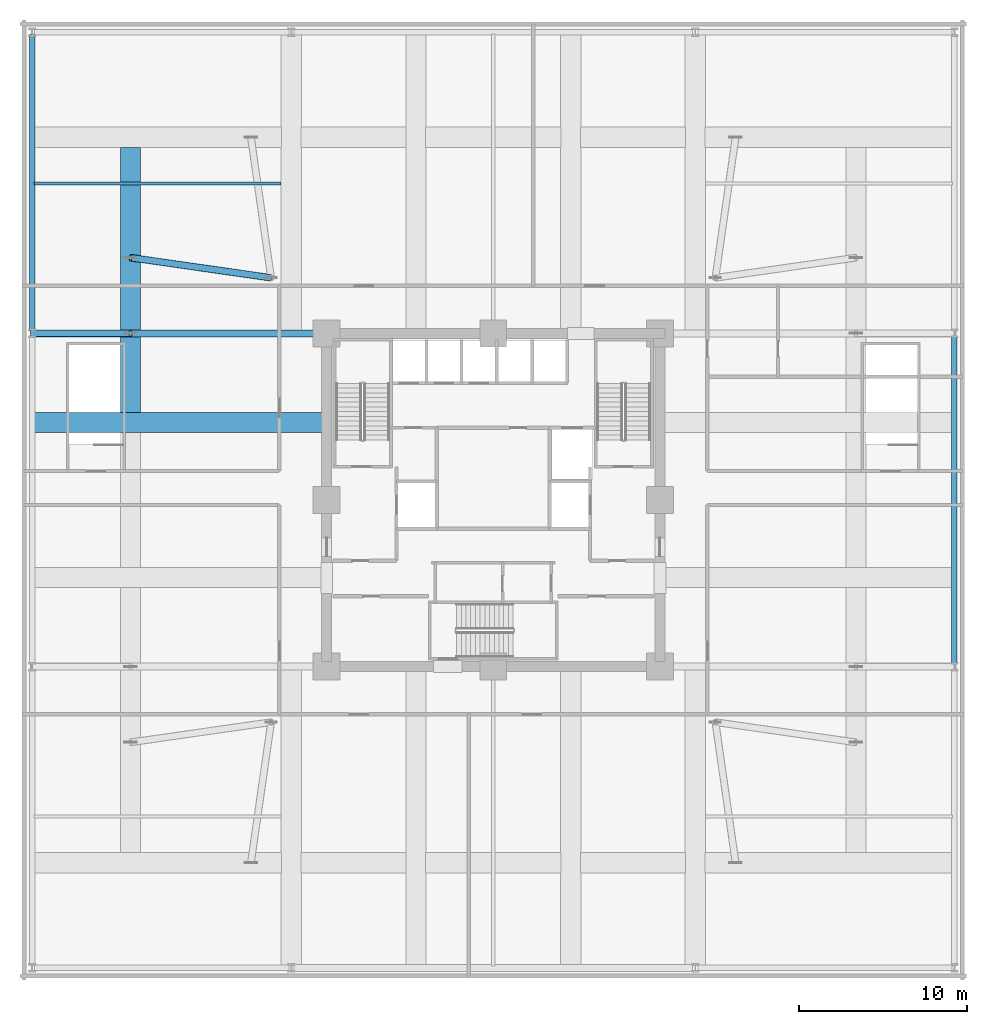
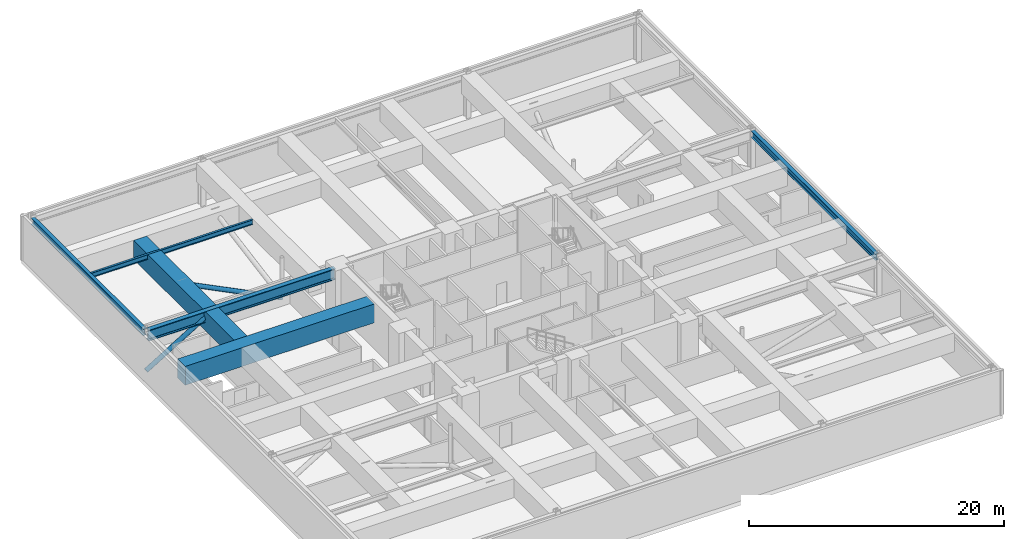
# One storey, part 5 of 16: 6 beams, 2 members.
"""IFC4 building model written with IfcOpenShell, lengths in metres."""

import ifcopenshell
import ifcopenshell.guid

model = None  # the IFC model being written
_history = None  # IfcOwnerHistory: only IFC2X3 demands one
_inside = {}  # id of a spatial element -> (the spatial element, [elements in it])
_under = {}  # id of a project, library or spatial element -> (it, [spatial elements below it])
_declared = {}  # id of a project -> (the project, [libraries it declares])
_typed = {}  # id of a type object -> (the type object, [elements of that type])
_made_of = {}  # id of a material, layer set ... -> (it, [elements and type objects made of it])


def new_model(schema):
    """Start an empty IFC model of exactly this schema.

    Asked for "IFC4X3", IfcOpenShell would pick the latest addendum, in which some entities
    have other attributes; the version numbers below select the first issue.
    IFC2X3 requires an IfcOwnerHistory on every rooted entity: one is made here for all.
    """
    global model, _history
    if schema == "IFC4X3":
        model = ifcopenshell.file(schema_version=(4, 3, 0, 0))
    else:
        model = ifcopenshell.file(schema=schema)
    _inside.clear()
    _under.clear()
    _declared.clear()
    _typed.clear()
    _made_of.clear()
    _history = None
    if model.schema == "IFC2X3":
        org = make("IfcOrganization", Name="unknown")
        user = make(
            "IfcPersonAndOrganization",
            ThePerson=make("IfcPerson", FamilyName="unknown"),
            TheOrganization=org,
        )
        app = make(
            "IfcApplication",
            ApplicationDeveloper=org,
            Version="unknown",
            ApplicationFullName="unknown",
            ApplicationIdentifier="unknown",
        )
        _history = make(
            "IfcOwnerHistory",
            OwningUser=user,
            OwningApplication=app,
            ChangeAction="ADDED",
            CreationDate=0,
        )
    return model


def make(cls, **values):
    """One entity of the class cls with the attributes given. An attribute that is None is left unset."""
    return model.create_entity(
        cls, **{name: value for name, value in values.items() if value is not None}
    )


def rooted(cls, **values):
    """An entity with a GlobalId (a new one), such as an element, a storey or a relation."""
    return make(cls, GlobalId=ifcopenshell.guid.new(), OwnerHistory=_history, **values)


def si_unit(unit_type, name, prefix=None):
    """IfcSIUnit, for example si_unit("LENGTHUNIT", "METRE", prefix="MILLI")."""
    return make("IfcSIUnit", UnitType=unit_type, Prefix=prefix, Name=name)


def assignment(units):
    """IfcUnitAssignment: the units of a project."""
    return None if units is None else make("IfcUnitAssignment", Units=units)


def point(xyz):
    """IfcCartesianPoint."""
    return None if xyz is None else make("IfcCartesianPoint", Coordinates=xyz)


def direction(xyz):
    """IfcDirection."""
    return None if xyz is None else make("IfcDirection", DirectionRatios=xyz)


def frame(location, z_axis=None, x_axis=None):
    """IfcAxis2Placement3D, a coordinate frame: its origin and axes. An axis left out is left unset."""
    return make(
        "IfcAxis2Placement3D",
        Location=point(location),
        Axis=direction(z_axis),
        RefDirection=direction(x_axis),
    )


def frame_2d(location, x_axis=None):
    """IfcAxis2Placement2D, a coordinate frame in the plane: its origin and x axis."""
    return make(
        "IfcAxis2Placement2D", Location=point(location), RefDirection=direction(x_axis)
    )


def origin():
    """The frame at (0, 0, 0) with its axes left unset."""
    return frame((0.0, 0.0, 0.0))


def origin_2d():
    """The frame at (0, 0) in the plane with its x axis left unset."""
    return frame_2d((0.0, 0.0))


def place(relative_to, where):
    """IfcLocalPlacement: puts the frame where relative to a parent placement (None: the world)."""
    return make(
        "IfcLocalPlacement", PlacementRelTo=relative_to, RelativePlacement=where
    )


def context(
    kind, dimensions, precision=None, world=None, true_north=None, identifier=None
):
    """IfcGeometricRepresentationContext, for example the 3D "Model" context."""
    return make(
        "IfcGeometricRepresentationContext",
        ContextIdentifier=identifier,
        ContextType=kind,
        CoordinateSpaceDimension=dimensions,
        Precision=precision,
        WorldCoordinateSystem=world,
        TrueNorth=true_north,
    )


def subcontext(parent, identifier, kind, view, scale=None):
    """IfcGeometricRepresentationSubContext, for example "Body" below "Model"."""
    return make(
        "IfcGeometricRepresentationSubContext",
        ContextIdentifier=identifier,
        ContextType=kind,
        ParentContext=parent,
        TargetScale=scale,
        TargetView=view,
    )


def project(units=None, contexts=None):
    """IfcProject with its units and contexts."""
    return rooted(
        "IfcProject",
        Name="project",
        RepresentationContexts=contexts,
        UnitsInContext=assignment(units),
    )


def spatial(cls, under=None, at=None, **own):
    """A site, building, storey or space (cls), placed at a placement, below another one or the project."""
    s = rooted(cls, ObjectPlacement=at, **own)
    if under is not None:
        _under.setdefault(under.id(), (under, []))[1].append(s)
    return s


def profile(cls, at=None, kind="AREA", **sizes):
    """A parametric profile (cls). Its sizes go by their IFC names, for example OverallWidth=200.0."""
    return make(cls, ProfileType=kind, Position=at, **sizes)


def rectangle(**sizes):
    """IfcRectangleProfileDef."""
    return profile("IfcRectangleProfileDef", **sizes)


def hollow_circle(**sizes):
    """IfcCircleHollowProfileDef."""
    return profile("IfcCircleHollowProfileDef", **sizes)


def i_section(**sizes):
    """IfcIShapeProfileDef."""
    return profile("IfcIShapeProfileDef", **sizes)


def extrude(swept, where, along, depth):
    """IfcExtrudedAreaSolid: the profile swept, set in the frame where, extruded along a direction by depth."""
    return make(
        "IfcExtrudedAreaSolid",
        SweptArea=swept,
        Position=where,
        ExtrudedDirection=direction(along),
        Depth=depth,
    )


def shape(context_of_items, identifier, shape_type, items):
    """IfcShapeRepresentation: the items that make up one representation, for example the "Body"."""
    return make(
        "IfcShapeRepresentation",
        ContextOfItems=context_of_items,
        RepresentationIdentifier=identifier,
        RepresentationType=shape_type,
        Items=items,
    )


def material(Name=None, Category=None):
    """IfcMaterial."""
    return make("IfcMaterial", Name=Name, Category=Category)


def material_profile(
    of_material, cross_section, Name=None, Category=None, Priority=None
):
    """IfcMaterialProfile: a cross section and its material."""
    return make(
        "IfcMaterialProfile",
        Name=Name,
        Material=of_material,
        Profile=cross_section,
        Priority=Priority,
        Category=Category,
    )


def profile_set(profiles, Name=None, composite=None):
    """IfcMaterialProfileSet."""
    return make(
        "IfcMaterialProfileSet",
        Name=Name,
        MaterialProfiles=profiles,
        CompositeProfile=composite,
    )


def made_of(thing, what):
    """Note that an element or type object is made of a material, layer set ...; save() writes the relation."""
    if what is not None:
        _made_of.setdefault(what.id(), (what, []))[1].append(thing)
    return thing


def type_object(cls, material=None, **own):
    """A type object (cls), such as IfcWallType, which elements share."""
    return made_of(rooted(cls, **own), material)


def element(
    cls,
    number,
    at=None,
    inside=None,
    cuts=None,
    type_object=None,
    material=None,
    context=None,
    identifier="Body",
    shape_type=None,
    held_by="IfcProductDefinitionShape",
    body=None,
    shapes=None,
    **own,
):
    """One element of the class cls, such as IfcWall. Its Tag is "e" and its number.

    at: its placement. inside: the storey or other place that contains it. cuts: it is an
    opening in that element (IfcRelVoidsElement). A single representation is given by context,
    identifier, shape_type and body (its items); several are given by shapes. held_by: the class
    of the entity that holds the representations. save() writes the other relations.
    """
    e = rooted(cls, Tag="e%d" % number, ObjectPlacement=at, **own)
    if body is not None:
        shapes = [shape(context, identifier, shape_type, body)]
    if shapes is not None:
        e.Representation = make(held_by, Representations=shapes)
    if inside is not None:
        _inside.setdefault(inside.id(), (inside, []))[1].append(e)
    if cuts is not None:
        rooted(
            "IfcRelVoidsElement", RelatingBuildingElement=cuts, RelatedOpeningElement=e
        )
    if type_object is not None:
        _typed.setdefault(type_object.id(), (type_object, []))[1].append(e)
    return made_of(e, material)


def aggregate(whole, parts):
    """IfcRelAggregates: a whole, such as a stair, and the parts it consists of."""
    return rooted("IfcRelAggregates", RelatingObject=whole, RelatedObjects=parts)


def save(model, path):
    """Write the relations noted so far, then the file.

    IfcRelAggregates (storeys below a building ...), IfcRelContainedInSpatialStructure (elements
    in a storey), IfcRelDefinesByType, IfcRelAssociatesMaterial and IfcRelDeclares: one each for
    every whole, place, type object, material and project.
    """
    for whole, parts in _under.values():
        aggregate(whole, parts)
    for where, things in _inside.values():
        rooted(
            "IfcRelContainedInSpatialStructure",
            RelatedElements=things,
            RelatingStructure=where,
        )
    for kind, things in _typed.values():
        rooted("IfcRelDefinesByType", RelatedObjects=things, RelatingType=kind)
    for what, things in _made_of.values():
        rooted("IfcRelAssociatesMaterial", RelatedObjects=things, RelatingMaterial=what)
    for by, libraries in _declared.values():
        rooted("IfcRelDeclares", RelatingContext=by, RelatedDefinitions=libraries)
    model.write(path)


model = new_model("IFC4")

# Units and contexts
model_context = context("Model", 3, precision=1e-05, world=origin(), true_north=direction((0.0, 1.0)))
body_context = subcontext(model_context, "Body", "Model", "MODEL_VIEW")
ifc_project = project(units=[si_unit("LENGTHUNIT", "METRE"), si_unit("AREAUNIT", "SQUARE_METRE"), si_unit("VOLUMEUNIT", "CUBIC_METRE"), si_unit("PLANEANGLEUNIT", "RADIAN"), si_unit("MASSUNIT", "GRAM", prefix="KILO")], contexts=[model_context])

# Site, building, storey
site_placement = place(None, origin())
site = spatial("IfcSite", under=ifc_project, at=site_placement, CompositionType="ELEMENT")
building_placement = place(site_placement, origin())
building = spatial("IfcBuilding", under=site, at=building_placement, Name="Kolvaren Belvedere", CompositionType="ELEMENT")
storey_placement = place(building_placement, frame((0.0, 0.0, 19.300048828125)))
storey = spatial("IfcBuildingStorey", under=building, at=storey_placement, Name="L05", CompositionType="ELEMENT", Elevation=19.300048828125)

# Beams
ifc_material_1 = material(Name="Structural steel ASTM A992 Grade 50", Category="steel")
ifc_material_profile_1 = material_profile(ifc_material_1, i_section(OverallWidth=0.19091796875, OverallDepth=0.4599609375, WebThickness=0.010009765625, FlangeThickness=0.01611328125, FilletRadius=0.014892578125, at=origin_2d()), Name="W18X55")
ifc_profile_set_1 = profile_set([ifc_material_profile_1], Name="Structural steel ASTM A992 Grade 50")
beam_type_1 = type_object("IfcBeamType", Name="BM-JOIST-W18X55", PredefinedType="BEAM", material=ifc_profile_set_1)
beam_1_placement = place(storey_placement, frame((-27.280029296875, 18.800048828125, 4.030029296875), z_axis=(1.0, 0.0, 0.0), x_axis=(0.0, 1.0, 0.0)))
element("IfcBeam", 1, at=beam_1_placement, inside=storey, type_object=beam_type_1, Name="L05 West Bay Floor Beam", PredefinedType="BEAM", context=body_context, shape_type="SweptSolid", body=[
    extrude(i_section(OverallWidth=0.19091796875, OverallDepth=0.4599609375, WebThickness=0.010009765625, FlangeThickness=0.01611328125, FilletRadius=0.014892578125, at=origin_2d()), origin(), (0.0, 0.0, 1.0), 14.659912109375),
])
ifc_material_2 = material(Name="Structural steel ASTM A992 Grade 50", Category="steel")
ifc_material_profile_2 = material_profile(ifc_material_2, i_section(OverallWidth=0.324951171875, OverallDepth=0.615966796875, WebThickness=0.013916015625, FlangeThickness=0.021484375, FilletRadius=0.02001953125, at=origin_2d()), Name="W24X117")
ifc_profile_set_2 = profile_set([ifc_material_profile_2], Name="Structural steel ASTM A992 Grade 50")
beam_type_2 = type_object("IfcBeamType", Name="BM-SPAN-W24X117", PredefinedType="SPANDREL", material=ifc_profile_set_2)
beam_2_placement = place(storey_placement, frame((-27.39990234375, 10.050048828125, 3.951904296875), z_axis=(0.0, 1.0, 0.0), x_axis=(-1.0, 0.0, 0.0)))
element("IfcBeam", 2, at=beam_2_placement, inside=storey, type_object=beam_type_2, Name="L05 W Podium Spandrel 3", PredefinedType="SPANDREL", context=body_context, shape_type="SweptSolid", body=[
    extrude(i_section(OverallWidth=0.324951171875, OverallDepth=0.615966796875, WebThickness=0.013916015625, FlangeThickness=0.021484375, FilletRadius=0.02001953125, at=origin_2d()), origin(), (0.0, 0.0, 1.0), 17.599853515625),
])
beam_3_placement = place(storey_placement, frame((27.39990234375, -9.75, 3.951904296875), z_axis=(0.0, 1.0, 0.0), x_axis=(-1.0, 0.0, 0.0)))
element("IfcBeam", 3, at=beam_3_placement, inside=storey, type_object=beam_type_2, Name="L05 E Podium Spandrel 2", PredefinedType="SPANDREL", context=body_context, shape_type="SweptSolid", body=[
    extrude(i_section(OverallWidth=0.324951171875, OverallDepth=0.615966796875, WebThickness=0.013916015625, FlangeThickness=0.021484375, FilletRadius=0.02001953125, at=origin_2d()), origin(), (0.0, 0.0, 1.0), 19.5),
])
ifc_material_3 = material(Name="Concrete C50/60", Category="concrete")
ifc_material_profile_3 = material_profile(ifc_material_3, rectangle(XDim=1.199951171875, YDim=1.800048828125, at=origin_2d()), Name="RC 1200X1800")
ifc_profile_set_3 = profile_set([ifc_material_profile_3], Name="Concrete C50/60")
beam_type_3 = type_object("IfcBeamType", Name="BM-TG-1800", PredefinedType="BEAM", material=ifc_profile_set_3)
beam_4_placement = place(storey_placement, frame((-10.14990234375, 4.60009765625, 3.35986328125), z_axis=(-1.0, 0.0, 0.0), x_axis=(0.0, -1.0, 0.0)))
element("IfcBeam", 4, at=beam_4_placement, inside=storey, type_object=beam_type_3, Name="L05 West Primary Transfer Girder P46", PredefinedType="BEAM", context=body_context, shape_type="SweptSolid", body=[
    extrude(rectangle(XDim=1.199951171875, YDim=1.800048828125, at=origin_2d()), origin(), (0.0, 0.0, 1.0), 17.10009765625),
])
beam_5_placement = place(storey_placement, frame((-21.550048828125, 5.199951171875, 3.35986328125), z_axis=(0.0, 1.0, 0.0), x_axis=(-1.0, 0.0, 0.0)))
element("IfcBeam", 5, at=beam_5_placement, inside=storey, type_object=beam_type_3, Name="L05 West Transfer Ring Girder N", PredefinedType="BEAM", context=body_context, shape_type="SweptSolid", body=[
    extrude(rectangle(XDim=1.199951171875, YDim=1.800048828125, at=origin_2d()), origin(), (0.0, 0.0, 1.0), 15.75),
])
ifc_material_4 = material(Name="Structural steel ASTM A992 Grade 50", Category="steel")
ifc_material_profile_4 = material_profile(ifc_material_4, i_section(OverallWidth=0.408935546875, OverallDepth=1.0400390625, WebThickness=0.031005859375, FlangeThickness=0.055908203125, FilletRadius=0.030029296875, at=origin_2d()), Name="W40X397")
ifc_profile_set_4 = profile_set([ifc_material_profile_4], Name="Structural steel ASTM A992 Grade 50")
beam_type_4 = type_object("IfcBeamType", Name="BM-TRUSS-W40X397", PredefinedType="BEAM", material=ifc_profile_set_4)
beam_6_placement = place(storey_placement, frame((-27.25, 9.89990234375, 3.739990234375), z_axis=(1.0, 0.0, 0.0), x_axis=(0.0, 1.0, 0.0)))
element("IfcBeam", 6, at=beam_6_placement, inside=storey, type_object=beam_type_4, Name="L05 West Interior Girder N", PredefinedType="BEAM", context=body_context, shape_type="SweptSolid", body=[
    extrude(i_section(OverallWidth=0.408935546875, OverallDepth=1.0400390625, WebThickness=0.031005859375, FlangeThickness=0.055908203125, FilletRadius=0.030029296875, at=origin_2d()), origin(), (0.0, 0.0, 1.0), 16.89990234375),
])

# Members
ifc_material_5 = material(Name="Structural steel ASTM A500 Grade C", Category="steel")
ifc_material_profile_5 = material_profile(ifc_material_5, hollow_circle(Radius=0.202880859375, WallThickness=0.01171875, at=origin_2d()), Name="HSS16.000X0.500")
ifc_profile_set_5 = profile_set([ifc_material_profile_5], Name="Structural steel ASTM A500 Grade C")
member_type = type_object("IfcMemberType", Name="MB-TRUSS-DIAG", PredefinedType="BRACE", material=ifc_profile_set_5)
member_1_placement = place(storey_placement, frame((-13.199951171875, 13.199951171875, 0.349853515625), z_axis=(-0.911949983885, 0.131051814829, 0.388809270365), x_axis=(-0.142243803641, -0.989831652518, 0.0)))
element("IfcMember", 7, at=member_1_placement, inside=storey, type_object=member_type, Name="L05 Storey-Deep Transfer Truss Diagonal TD-3", PredefinedType="BRACE", context=body_context, shape_type="SweptSolid", body=[
    extrude(hollow_circle(Radius=0.202880859375, WallThickness=0.01171875, at=origin_2d()), origin(), (0.0, 0.0, 1.0), 9.15625),
])
member_2_placement = place(storey_placement, frame((-27.39990234375, 9.89990234375, 0.349853515625), z_axis=(0.854245366247, 0.0, 0.519870035918), x_axis=(0.0, 1.0, 0.0)))
element("IfcMember", 8, at=member_2_placement, inside=storey, type_object=member_type, Name="L05 Storey-Deep Transfer Truss Diagonal TD-11", PredefinedType="BRACE", context=body_context, shape_type="SweptSolid", body=[
    extrude(hollow_circle(Radius=0.202880859375, WallThickness=0.01171875, at=origin_2d()), origin(), (0.0, 0.0, 1.0), 6.847900390625),
])

save(model, "model.ifc")
